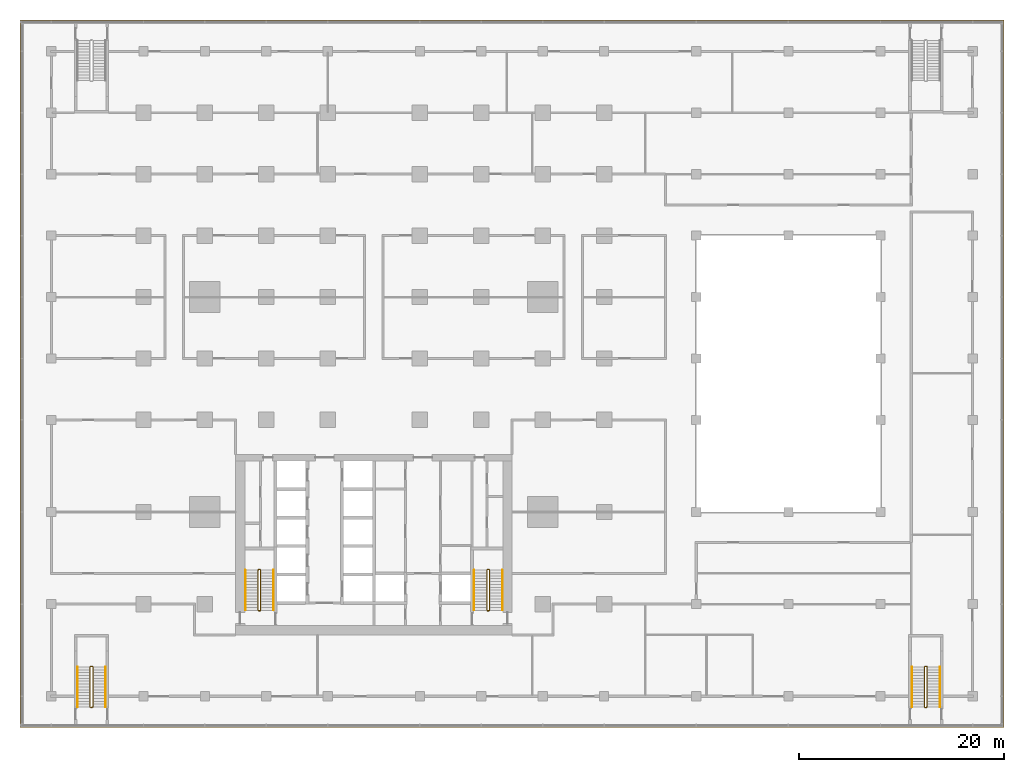
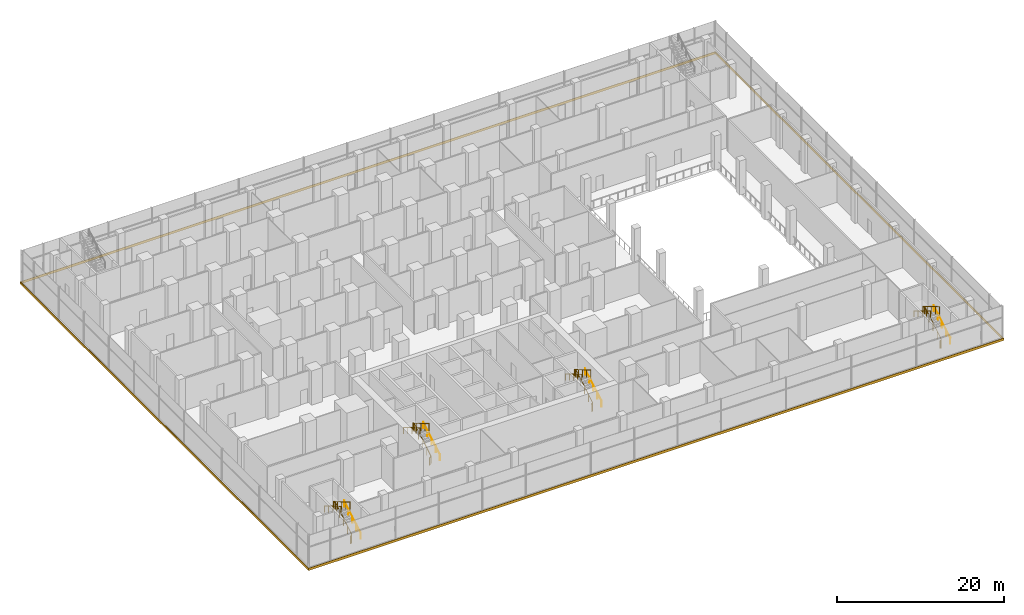
# One storey, part 21 of 22: 12 railings, 1 covering.
"""IFC4 building model written with IfcOpenShell, lengths in metres."""

from ifc_helpers import new_model, si_unit, direction, frame, origin, origin_2d, place, context, subcontext, project, spatial, polyline, circle, outline, extrude, material, layer, layer_set, type_object, element, save


model = new_model("IFC4")

# Units and contexts
model_context = context("Model", 3, precision=1e-05, world=origin(), true_north=direction((0.0, 1.0)))
body_context = subcontext(model_context, "Body", "Model", "MODEL_VIEW")
ifc_project = project(units=[si_unit("LENGTHUNIT", "METRE"), si_unit("AREAUNIT", "SQUARE_METRE"), si_unit("VOLUMEUNIT", "CUBIC_METRE"), si_unit("PLANEANGLEUNIT", "RADIAN"), si_unit("MASSUNIT", "GRAM", prefix="KILO")], contexts=[model_context])

# Site, building, storey
site_placement = place(None, origin())
site = spatial("IfcSite", under=ifc_project, at=site_placement, CompositionType="ELEMENT")
building_placement = place(site_placement, origin())
building = spatial("IfcBuilding", under=site, at=building_placement, Name="Finial Court Residences", CompositionType="ELEMENT")
storey_placement = place(building_placement, frame((0.0, 0.0, 13.5)))
storey = spatial("IfcBuildingStorey", under=building, at=storey_placement, Name="L02", CompositionType="ELEMENT", Elevation=13.5)

# Covering
ifc_material_1 = material(Name="Pale limestone", Category="masonry")
ifc_layer = layer(ifc_material_1, 0.06005859375)
ifc_layer_set = layer_set([ifc_layer], Name="Pale limestone slab-edge band 60")
covering_type = type_object("IfcCoveringType", Name="Pale limestone slab-edge band 60", PredefinedType="CLADDING", material=ifc_layer_set)
covering_placement = place(storey_placement, frame((0.0, 0.0, -0.35009765625)))
element("IfcCovering", 1, at=covering_placement, inside=storey, type_object=covering_type, Name="E-L02-BAND1", PredefinedType="CLADDING", context=body_context, shape_type="SweptSolid", body=[
    extrude(outline(polyline([(-34.56005859375, 34.56005859375), (61.56005859375, 34.56005859375), (61.56005859375, -34.56005859375), (-34.56005859375, -34.56005859375), (-34.56005859375, 34.56005859375)]), holes=[polyline([(61.5, -34.5), (61.5, 34.5), (-34.5, 34.5), (-34.5, -34.5), (61.5, -34.5)])]), origin(), (0.0, 0.0, 1.0), 0.35009765625),
])

# Railings
ifc_material_2 = material(Name="Stainless steel railing", Category="steel")
railing_type_1 = type_object("IfcRailingType", Name="Stair guard 1100", PredefinedType="GUARDRAIL", material=ifc_material_2)
railing_1_placement = place(storey_placement, frame((-11.10009765625, -23.14990234375, 0.0)))
element("IfcRailing", 2, at=railing_1_placement, inside=storey, type_object=railing_type_1, Name="L02 ST-1 stair guard 1", PredefinedType="GUARDRAIL", context=body_context, shape_type="SweptSolid", body=[
    extrude(circle(Radius=0.02392578125, at=origin_2d()), frame((0.0, 0.0, 1.076171875), z_axis=(-1.0, 0.0, 0.0), x_axis=(0.0, -1.0, 0.0)), (0.0, 0.0, 1.0), 0.14990234375),
    extrude(circle(Radius=0.02392578125, at=origin_2d()), frame((-0.14990234375, 0.0, 1.076171875), z_axis=(0.754313153044, 0.1878875253, 0.629054802844), x_axis=(-0.241699205484, 0.970351222016, 0.0)), (0.0, 0.0, 1.0), 0.26513671875),
    extrude(circle(Radius=0.02392578125, at=origin_2d()), frame((0.050048828125, 0.0498046875, 1.24267578125), z_axis=(0.0, 0.859310244771, 0.511454693235), x_axis=(-1.0, 0.0, 0.0)), (0.0, 0.0, 1.0), 4.56201171875),
    extrude(circle(Radius=0.02392578125, at=origin_2d()), frame((0.050048828125, 3.969970703125, 3.576171875), z_axis=(-0.707106781187, 0.707106781187, 0.0), x_axis=(-0.707106781187, -0.707106781187, 0.0)), (0.0, 0.0, 1.0), 0.07080078125),
    extrude(circle(Radius=0.02392578125, at=origin_2d()), frame((0.0, 4.02001953125, 3.576171875), z_axis=(-1.0, 0.0, 0.0), x_axis=(0.0, -1.0, 0.0)), (0.0, 0.0, 1.0), 0.14990234375),
    extrude(circle(Radius=0.02392578125, at=origin_2d()), frame((-0.14990234375, 4.02001953125, 3.576171875), z_axis=(-0.27628659633, -0.27628659633, 0.920506074601), x_axis=(0.707106781187, -0.707106781187, 0.0)), (0.0, 0.0, 1.0), 0.18115234375),
    extrude(circle(Radius=0.02392578125, at=origin_2d()), frame((-0.199951171875, 3.969970703125, 3.74267578125), z_axis=(0.0, -0.859310244771, 0.511454693235), x_axis=(1.0, 0.0, 0.0)), (0.0, 0.0, 1.0), 4.56201171875),
    extrude(circle(Radius=0.02099609375, at=origin_2d()), origin(), (0.0, 0.0, 1.0), 1.052001953125),
    extrude(circle(Radius=0.02099609375, at=origin_2d()), frame((-0.14990234375, 0.0, 0.0)), (0.0, 0.0, 1.0), 1.052001953125),
    extrude(circle(Radius=0.02099609375, at=origin_2d()), frame((0.050048828125, 0.0498046875, 0.166748046875)), (0.0, 0.0, 1.0), 1.052001953125),
    extrude(circle(Radius=0.02099609375, at=origin_2d()), frame((0.050048828125, 1.02978515625, 0.75)), (0.0, 0.0, 1.0), 1.052001953125),
    extrude(circle(Radius=0.02099609375, at=origin_2d()), frame((0.050048828125, 2.009765625, 1.33349609375)), (0.0, 0.0, 1.0), 1.052001953125),
    extrude(circle(Radius=0.02099609375, at=origin_2d()), frame((0.050048828125, 2.989990234375, 1.916748046875)), (0.0, 0.0, 1.0), 1.052001953125),
    extrude(circle(Radius=0.02099609375, at=origin_2d()), frame((0.050048828125, 3.969970703125, 2.5)), (0.0, 0.0, 1.0), 1.052001953125),
    extrude(circle(Radius=0.02099609375, at=origin_2d()), frame((0.0, 4.02001953125, 2.5)), (0.0, 0.0, 1.0), 1.052001953125),
    extrude(circle(Radius=0.02099609375, at=origin_2d()), frame((-0.14990234375, 4.02001953125, 2.5)), (0.0, 0.0, 1.0), 1.052001953125),
    extrude(circle(Radius=0.02099609375, at=origin_2d()), frame((-0.199951171875, 3.969970703125, 2.666748046875)), (0.0, 0.0, 1.0), 1.052001953125),
    extrude(circle(Radius=0.02099609375, at=origin_2d()), frame((-0.199951171875, 2.989990234375, 3.25)), (0.0, 0.0, 1.0), 1.052001953125),
    extrude(circle(Radius=0.02099609375, at=origin_2d()), frame((-0.199951171875, 2.009765625, 3.83349609375)), (0.0, 0.0, 1.0), 1.052001953125),
    extrude(circle(Radius=0.02099609375, at=origin_2d()), frame((-0.199951171875, 1.02978515625, 4.416748046875)), (0.0, 0.0, 1.0), 1.052001953125),
    extrude(circle(Radius=0.02099609375, at=origin_2d()), frame((-0.199951171875, 0.0498046875, 5.0)), (0.0, 0.0, 1.0), 1.052001953125),
])
railing_2_placement = place(storey_placement, frame((11.25, -23.14990234375, 0.0)))
element("IfcRailing", 3, at=railing_2_placement, inside=storey, type_object=railing_type_1, Name="L02 ST-2 stair guard 1", PredefinedType="GUARDRAIL", context=body_context, shape_type="SweptSolid", body=[
    extrude(circle(Radius=0.02392578125, at=origin_2d()), frame((0.0, 0.0, 1.076171875), z_axis=(-1.0, 0.0, 0.0), x_axis=(0.0, -1.0, 0.0)), (0.0, 0.0, 1.0), 0.14990234375),
    extrude(circle(Radius=0.02392578125, at=origin_2d()), frame((-0.14990234375, 0.0, 1.076171875), z_axis=(0.754313153044, 0.1878875253, 0.629054802844), x_axis=(-0.241699205484, 0.970351222016, 0.0)), (0.0, 0.0, 1.0), 0.26513671875),
    extrude(circle(Radius=0.02392578125, at=origin_2d()), frame((0.050048828125, 0.0498046875, 1.24267578125), z_axis=(0.0, 0.859310244771, 0.511454693235), x_axis=(-1.0, 0.0, 0.0)), (0.0, 0.0, 1.0), 4.56201171875),
    extrude(circle(Radius=0.02392578125, at=origin_2d()), frame((0.050048828125, 3.969970703125, 3.576171875), z_axis=(-0.707106781187, 0.707106781187, 0.0), x_axis=(-0.707106781187, -0.707106781187, 0.0)), (0.0, 0.0, 1.0), 0.07080078125),
    extrude(circle(Radius=0.02392578125, at=origin_2d()), frame((0.0, 4.02001953125, 3.576171875), z_axis=(-1.0, 0.0, 0.0), x_axis=(0.0, -1.0, 0.0)), (0.0, 0.0, 1.0), 0.14990234375),
    extrude(circle(Radius=0.02392578125, at=origin_2d()), frame((-0.14990234375, 4.02001953125, 3.576171875), z_axis=(-0.27628659633, -0.27628659633, 0.920506074601), x_axis=(0.707106781187, -0.707106781187, 0.0)), (0.0, 0.0, 1.0), 0.18115234375),
    extrude(circle(Radius=0.02392578125, at=origin_2d()), frame((-0.199951171875, 3.969970703125, 3.74267578125), z_axis=(0.0, -0.859310244771, 0.511454693235), x_axis=(1.0, 0.0, 0.0)), (0.0, 0.0, 1.0), 4.56201171875),
    extrude(circle(Radius=0.02099609375, at=origin_2d()), origin(), (0.0, 0.0, 1.0), 1.052001953125),
    extrude(circle(Radius=0.02099609375, at=origin_2d()), frame((-0.14990234375, 0.0, 0.0)), (0.0, 0.0, 1.0), 1.052001953125),
    extrude(circle(Radius=0.02099609375, at=origin_2d()), frame((0.050048828125, 0.0498046875, 0.166748046875)), (0.0, 0.0, 1.0), 1.052001953125),
    extrude(circle(Radius=0.02099609375, at=origin_2d()), frame((0.050048828125, 1.02978515625, 0.75)), (0.0, 0.0, 1.0), 1.052001953125),
    extrude(circle(Radius=0.02099609375, at=origin_2d()), frame((0.050048828125, 2.009765625, 1.33349609375)), (0.0, 0.0, 1.0), 1.052001953125),
    extrude(circle(Radius=0.02099609375, at=origin_2d()), frame((0.050048828125, 2.989990234375, 1.916748046875)), (0.0, 0.0, 1.0), 1.052001953125),
    extrude(circle(Radius=0.02099609375, at=origin_2d()), frame((0.050048828125, 3.969970703125, 2.5)), (0.0, 0.0, 1.0), 1.052001953125),
    extrude(circle(Radius=0.02099609375, at=origin_2d()), frame((0.0, 4.02001953125, 2.5)), (0.0, 0.0, 1.0), 1.052001953125),
    extrude(circle(Radius=0.02099609375, at=origin_2d()), frame((-0.14990234375, 4.02001953125, 2.5)), (0.0, 0.0, 1.0), 1.052001953125),
    extrude(circle(Radius=0.02099609375, at=origin_2d()), frame((-0.199951171875, 3.969970703125, 2.666748046875)), (0.0, 0.0, 1.0), 1.052001953125),
    extrude(circle(Radius=0.02099609375, at=origin_2d()), frame((-0.199951171875, 2.989990234375, 3.25)), (0.0, 0.0, 1.0), 1.052001953125),
    extrude(circle(Radius=0.02099609375, at=origin_2d()), frame((-0.199951171875, 2.009765625, 3.83349609375)), (0.0, 0.0, 1.0), 1.052001953125),
    extrude(circle(Radius=0.02099609375, at=origin_2d()), frame((-0.199951171875, 1.02978515625, 4.416748046875)), (0.0, 0.0, 1.0), 1.052001953125),
    extrude(circle(Radius=0.02099609375, at=origin_2d()), frame((-0.199951171875, 0.0498046875, 5.0)), (0.0, 0.0, 1.0), 1.052001953125),
])
railing_3_placement = place(storey_placement, frame((54.0, -32.60009765625, 0.0)))
element("IfcRailing", 4, at=railing_3_placement, inside=storey, type_object=railing_type_1, Name="L02 ST-3 stair guard 1", PredefinedType="GUARDRAIL", context=body_context, shape_type="SweptSolid", body=[
    extrude(circle(Radius=0.02392578125, at=origin_2d()), frame((0.0, 0.0, 1.076171875), z_axis=(-1.0, 0.0, 0.0), x_axis=(0.0, -1.0, 0.0)), (0.0, 0.0, 1.0), 0.14990234375),
    extrude(circle(Radius=0.02392578125, at=origin_2d()), frame((-0.14990234375, 0.0, 1.076171875), z_axis=(0.754182335027, 0.188775798145, 0.628945707965), x_axis=(-0.242814311512, 0.970072785993, 0.0)), (0.0, 0.0, 1.0), 0.26513671875),
    extrude(circle(Radius=0.02392578125, at=origin_2d()), frame((0.050048828125, 0.050048828125, 1.24267578125), z_axis=(0.0, 0.859310244771, 0.511454693235), x_axis=(-1.0, 0.0, 0.0)), (0.0, 0.0, 1.0), 4.56201171875),
    extrude(circle(Radius=0.02392578125, at=origin_2d()), frame((0.050048828125, 3.97021484375, 3.576171875), z_axis=(-0.708833529934, 0.705375805398, 0.0), x_axis=(-0.705375805398, -0.708833529934, 0.0)), (0.0, 0.0, 1.0), 0.070556640625),
    extrude(circle(Radius=0.02392578125, at=origin_2d()), frame((0.0, 4.02001953125, 3.576171875), z_axis=(-1.0, 0.0, 0.0), x_axis=(0.0, -1.0, 0.0)), (0.0, 0.0, 1.0), 0.14990234375),
    extrude(circle(Radius=0.02392578125, at=origin_2d()), frame((-0.14990234375, 4.02001953125, 3.576171875), z_axis=(-0.276389281352, -0.275041040955, 0.920848191041), x_axis=(0.705375805398, -0.708833529934, 0.0)), (0.0, 0.0, 1.0), 0.18115234375),
    extrude(circle(Radius=0.02392578125, at=origin_2d()), frame((-0.199951171875, 3.97021484375, 3.74267578125), z_axis=(0.0, -0.859310244771, 0.511454693235), x_axis=(1.0, 0.0, 0.0)), (0.0, 0.0, 1.0), 4.56201171875),
    extrude(circle(Radius=0.02099609375, at=origin_2d()), origin(), (0.0, 0.0, 1.0), 1.052001953125),
    extrude(circle(Radius=0.02099609375, at=origin_2d()), frame((-0.14990234375, 0.0, 0.0)), (0.0, 0.0, 1.0), 1.052001953125),
    extrude(circle(Radius=0.02099609375, at=origin_2d()), frame((0.050048828125, 0.050048828125, 0.166748046875)), (0.0, 0.0, 1.0), 1.052001953125),
    extrude(circle(Radius=0.02099609375, at=origin_2d()), frame((0.050048828125, 1.030029296875, 0.75)), (0.0, 0.0, 1.0), 1.052001953125),
    extrude(circle(Radius=0.02099609375, at=origin_2d()), frame((0.050048828125, 2.01025390625, 1.33349609375)), (0.0, 0.0, 1.0), 1.052001953125),
    extrude(circle(Radius=0.02099609375, at=origin_2d()), frame((0.050048828125, 2.990234375, 1.916748046875)), (0.0, 0.0, 1.0), 1.052001953125),
    extrude(circle(Radius=0.02099609375, at=origin_2d()), frame((0.050048828125, 3.97021484375, 2.5)), (0.0, 0.0, 1.0), 1.052001953125),
    extrude(circle(Radius=0.02099609375, at=origin_2d()), frame((0.0, 4.02001953125, 2.5)), (0.0, 0.0, 1.0), 1.052001953125),
    extrude(circle(Radius=0.02099609375, at=origin_2d()), frame((-0.14990234375, 4.02001953125, 2.5)), (0.0, 0.0, 1.0), 1.052001953125),
    extrude(circle(Radius=0.02099609375, at=origin_2d()), frame((-0.199951171875, 3.97021484375, 2.666748046875)), (0.0, 0.0, 1.0), 1.052001953125),
    extrude(circle(Radius=0.02099609375, at=origin_2d()), frame((-0.199951171875, 2.990234375, 3.25)), (0.0, 0.0, 1.0), 1.052001953125),
    extrude(circle(Radius=0.02099609375, at=origin_2d()), frame((-0.199951171875, 2.01025390625, 3.83349609375)), (0.0, 0.0, 1.0), 1.052001953125),
    extrude(circle(Radius=0.02099609375, at=origin_2d()), frame((-0.199951171875, 1.030029296875, 4.416748046875)), (0.0, 0.0, 1.0), 1.052001953125),
    extrude(circle(Radius=0.02099609375, at=origin_2d()), frame((-0.199951171875, 0.050048828125, 5.0)), (0.0, 0.0, 1.0), 1.052001953125),
])
railing_4_placement = place(storey_placement, frame((-27.5, -32.60009765625, 0.0)))
element("IfcRailing", 5, at=railing_4_placement, inside=storey, type_object=railing_type_1, Name="L02 ST-4 stair guard 1", PredefinedType="GUARDRAIL", context=body_context, shape_type="SweptSolid", body=[
    extrude(circle(Radius=0.02392578125, at=origin_2d()), frame((0.0, 0.0, 1.076171875), z_axis=(-1.0, 0.0, 0.0), x_axis=(0.0, -1.0, 0.0)), (0.0, 0.0, 1.0), 0.14990234375),
    extrude(circle(Radius=0.02392578125, at=origin_2d()), frame((-0.14990234375, 0.0, 1.076171875), z_axis=(0.754182335027, 0.188775798145, 0.628945707965), x_axis=(-0.242814311512, 0.970072785993, 0.0)), (0.0, 0.0, 1.0), 0.26513671875),
    extrude(circle(Radius=0.02392578125, at=origin_2d()), frame((0.050048828125, 0.050048828125, 1.24267578125), z_axis=(0.0, 0.859310244771, 0.511454693235), x_axis=(-1.0, 0.0, 0.0)), (0.0, 0.0, 1.0), 4.56201171875),
    extrude(circle(Radius=0.02392578125, at=origin_2d()), frame((0.050048828125, 3.97021484375, 3.576171875), z_axis=(-0.708833529934, 0.705375805398, 0.0), x_axis=(-0.705375805398, -0.708833529934, 0.0)), (0.0, 0.0, 1.0), 0.070556640625),
    extrude(circle(Radius=0.02392578125, at=origin_2d()), frame((0.0, 4.02001953125, 3.576171875), z_axis=(-1.0, 0.0, 0.0), x_axis=(0.0, -1.0, 0.0)), (0.0, 0.0, 1.0), 0.14990234375),
    extrude(circle(Radius=0.02392578125, at=origin_2d()), frame((-0.14990234375, 4.02001953125, 3.576171875), z_axis=(-0.276389281352, -0.275041040955, 0.920848191041), x_axis=(0.705375805398, -0.708833529934, 0.0)), (0.0, 0.0, 1.0), 0.18115234375),
    extrude(circle(Radius=0.02392578125, at=origin_2d()), frame((-0.199951171875, 3.97021484375, 3.74267578125), z_axis=(0.0, -0.859310244771, 0.511454693235), x_axis=(1.0, 0.0, 0.0)), (0.0, 0.0, 1.0), 4.56201171875),
    extrude(circle(Radius=0.02099609375, at=origin_2d()), origin(), (0.0, 0.0, 1.0), 1.052001953125),
    extrude(circle(Radius=0.02099609375, at=origin_2d()), frame((-0.14990234375, 0.0, 0.0)), (0.0, 0.0, 1.0), 1.052001953125),
    extrude(circle(Radius=0.02099609375, at=origin_2d()), frame((0.050048828125, 0.050048828125, 0.166748046875)), (0.0, 0.0, 1.0), 1.052001953125),
    extrude(circle(Radius=0.02099609375, at=origin_2d()), frame((0.050048828125, 1.030029296875, 0.75)), (0.0, 0.0, 1.0), 1.052001953125),
    extrude(circle(Radius=0.02099609375, at=origin_2d()), frame((0.050048828125, 2.01025390625, 1.33349609375)), (0.0, 0.0, 1.0), 1.052001953125),
    extrude(circle(Radius=0.02099609375, at=origin_2d()), frame((0.050048828125, 2.990234375, 1.916748046875)), (0.0, 0.0, 1.0), 1.052001953125),
    extrude(circle(Radius=0.02099609375, at=origin_2d()), frame((0.050048828125, 3.97021484375, 2.5)), (0.0, 0.0, 1.0), 1.052001953125),
    extrude(circle(Radius=0.02099609375, at=origin_2d()), frame((0.0, 4.02001953125, 2.5)), (0.0, 0.0, 1.0), 1.052001953125),
    extrude(circle(Radius=0.02099609375, at=origin_2d()), frame((-0.14990234375, 4.02001953125, 2.5)), (0.0, 0.0, 1.0), 1.052001953125),
    extrude(circle(Radius=0.02099609375, at=origin_2d()), frame((-0.199951171875, 3.97021484375, 2.666748046875)), (0.0, 0.0, 1.0), 1.052001953125),
    extrude(circle(Radius=0.02099609375, at=origin_2d()), frame((-0.199951171875, 2.990234375, 3.25)), (0.0, 0.0, 1.0), 1.052001953125),
    extrude(circle(Radius=0.02099609375, at=origin_2d()), frame((-0.199951171875, 2.01025390625, 3.83349609375)), (0.0, 0.0, 1.0), 1.052001953125),
    extrude(circle(Radius=0.02099609375, at=origin_2d()), frame((-0.199951171875, 1.030029296875, 4.416748046875)), (0.0, 0.0, 1.0), 1.052001953125),
    extrude(circle(Radius=0.02099609375, at=origin_2d()), frame((-0.199951171875, 0.050048828125, 5.0)), (0.0, 0.0, 1.0), 1.052001953125),
])
railing_type_2 = type_object("IfcRailingType", Name="Stair handrail 900", PredefinedType="HANDRAIL", material=ifc_material_2)
railing_5_placement = place(storey_placement, frame((-9.800048828125, -23.10009765625, 0.166748046875)))
element("IfcRailing", 6, at=railing_5_placement, inside=storey, type_object=railing_type_2, Name="L02 ST-1 stair handrail 1", PredefinedType="HANDRAIL", context=body_context, shape_type="SweptSolid", body=[
    extrude(circle(Radius=0.02392578125, at=origin_2d()), frame((0.0, 0.0, 0.8759765625), z_axis=(0.0, 0.859310244771, 0.511454693235), x_axis=(-1.0, 0.0, 0.0)), (0.0, 0.0, 1.0), 4.56201171875),
    extrude(circle(Radius=0.02099609375, at=origin_2d()), origin(), (0.0, 0.0, 1.0), 0.851806640625),
    extrude(circle(Radius=0.02099609375, at=origin_2d()), frame((0.0, 0.97998046875, 0.583251953125)), (0.0, 0.0, 1.0), 0.851806640625),
    extrude(circle(Radius=0.02099609375, at=origin_2d()), frame((0.0, 1.9599609375, 1.16650390625)), (0.0, 0.0, 1.0), 0.851806640625),
    extrude(circle(Radius=0.02099609375, at=origin_2d()), frame((0.0, 2.940185546875, 1.75)), (0.0, 0.0, 1.0), 0.851806640625),
    extrude(circle(Radius=0.02099609375, at=origin_2d()), frame((0.0, 3.920166015625, 2.333251953125)), (0.0, 0.0, 1.0), 0.851806640625),
])
railing_6_placement = place(storey_placement, frame((-12.550048828125, -19.179931640625, 2.666748046875)))
element("IfcRailing", 7, at=railing_6_placement, inside=storey, type_object=railing_type_2, Name="L02 ST-1 stair handrail 2", PredefinedType="HANDRAIL", context=body_context, shape_type="SweptSolid", body=[
    extrude(circle(Radius=0.02392578125, at=origin_2d()), frame((0.0, 0.0, 0.8759765625), z_axis=(0.0, -0.859310244771, 0.511454693235), x_axis=(1.0, 0.0, 0.0)), (0.0, 0.0, 1.0), 4.56201171875),
    extrude(circle(Radius=0.02099609375, at=origin_2d()), origin(), (0.0, 0.0, 1.0), 0.851806640625),
    extrude(circle(Radius=0.02099609375, at=origin_2d()), frame((0.0, -0.97998046875, 0.583251953125)), (0.0, 0.0, 1.0), 0.851806640625),
    extrude(circle(Radius=0.02099609375, at=origin_2d()), frame((0.0, -1.9599609375, 1.16650390625)), (0.0, 0.0, 1.0), 0.851806640625),
    extrude(circle(Radius=0.02099609375, at=origin_2d()), frame((0.0, -2.940185546875, 1.75)), (0.0, 0.0, 1.0), 0.851806640625),
    extrude(circle(Radius=0.02099609375, at=origin_2d()), frame((0.0, -3.920166015625, 2.333251953125)), (0.0, 0.0, 1.0), 0.851806640625),
])
railing_7_placement = place(storey_placement, frame((12.550048828125, -23.10009765625, 0.166748046875)))
element("IfcRailing", 8, at=railing_7_placement, inside=storey, type_object=railing_type_2, Name="L02 ST-2 stair handrail 1", PredefinedType="HANDRAIL", context=body_context, shape_type="SweptSolid", body=[
    extrude(circle(Radius=0.02392578125, at=origin_2d()), frame((0.0, 0.0, 0.8759765625), z_axis=(0.0, 0.859310244771, 0.511454693235), x_axis=(-1.0, 0.0, 0.0)), (0.0, 0.0, 1.0), 4.56201171875),
    extrude(circle(Radius=0.02099609375, at=origin_2d()), origin(), (0.0, 0.0, 1.0), 0.851806640625),
    extrude(circle(Radius=0.02099609375, at=origin_2d()), frame((0.0, 0.97998046875, 0.583251953125)), (0.0, 0.0, 1.0), 0.851806640625),
    extrude(circle(Radius=0.02099609375, at=origin_2d()), frame((0.0, 1.9599609375, 1.16650390625)), (0.0, 0.0, 1.0), 0.851806640625),
    extrude(circle(Radius=0.02099609375, at=origin_2d()), frame((0.0, 2.940185546875, 1.75)), (0.0, 0.0, 1.0), 0.851806640625),
    extrude(circle(Radius=0.02099609375, at=origin_2d()), frame((0.0, 3.920166015625, 2.333251953125)), (0.0, 0.0, 1.0), 0.851806640625),
])
railing_8_placement = place(storey_placement, frame((9.800048828125, -19.179931640625, 2.666748046875)))
element("IfcRailing", 9, at=railing_8_placement, inside=storey, type_object=railing_type_2, Name="L02 ST-2 stair handrail 2", PredefinedType="HANDRAIL", context=body_context, shape_type="SweptSolid", body=[
    extrude(circle(Radius=0.02392578125, at=origin_2d()), frame((0.0, 0.0, 0.8759765625), z_axis=(0.0, -0.859310244771, 0.511454693235), x_axis=(1.0, 0.0, 0.0)), (0.0, 0.0, 1.0), 4.56201171875),
    extrude(circle(Radius=0.02099609375, at=origin_2d()), origin(), (0.0, 0.0, 1.0), 0.851806640625),
    extrude(circle(Radius=0.02099609375, at=origin_2d()), frame((0.0, -0.97998046875, 0.583251953125)), (0.0, 0.0, 1.0), 0.851806640625),
    extrude(circle(Radius=0.02099609375, at=origin_2d()), frame((0.0, -1.9599609375, 1.16650390625)), (0.0, 0.0, 1.0), 0.851806640625),
    extrude(circle(Radius=0.02099609375, at=origin_2d()), frame((0.0, -2.940185546875, 1.75)), (0.0, 0.0, 1.0), 0.851806640625),
    extrude(circle(Radius=0.02099609375, at=origin_2d()), frame((0.0, -3.920166015625, 2.333251953125)), (0.0, 0.0, 1.0), 0.851806640625),
])
railing_9_placement = place(storey_placement, frame((55.300048828125, -32.550048828125, 0.166748046875)))
element("IfcRailing", 10, at=railing_9_placement, inside=storey, type_object=railing_type_2, Name="L02 ST-3 stair handrail 1", PredefinedType="HANDRAIL", context=body_context, shape_type="SweptSolid", body=[
    extrude(circle(Radius=0.02392578125, at=origin_2d()), frame((0.0, 0.0, 0.8759765625), z_axis=(0.0, 0.859310244771, 0.511454693235), x_axis=(-1.0, 0.0, 0.0)), (0.0, 0.0, 1.0), 4.56201171875),
    extrude(circle(Radius=0.02099609375, at=origin_2d()), origin(), (0.0, 0.0, 1.0), 0.851806640625),
    extrude(circle(Radius=0.02099609375, at=origin_2d()), frame((0.0, 0.97998046875, 0.583251953125)), (0.0, 0.0, 1.0), 0.851806640625),
    extrude(circle(Radius=0.02099609375, at=origin_2d()), frame((0.0, 1.9599609375, 1.16650390625)), (0.0, 0.0, 1.0), 0.851806640625),
    extrude(circle(Radius=0.02099609375, at=origin_2d()), frame((0.0, 2.940185546875, 1.75)), (0.0, 0.0, 1.0), 0.851806640625),
    extrude(circle(Radius=0.02099609375, at=origin_2d()), frame((0.0, 3.920166015625, 2.333251953125)), (0.0, 0.0, 1.0), 0.851806640625),
])
railing_10_placement = place(storey_placement, frame((52.550048828125, -28.6298828125, 2.666748046875)))
element("IfcRailing", 11, at=railing_10_placement, inside=storey, type_object=railing_type_2, Name="L02 ST-3 stair handrail 2", PredefinedType="HANDRAIL", context=body_context, shape_type="SweptSolid", body=[
    extrude(circle(Radius=0.02392578125, at=origin_2d()), frame((0.0, 0.0, 0.8759765625), z_axis=(0.0, -0.859310244771, 0.511454693235), x_axis=(1.0, 0.0, 0.0)), (0.0, 0.0, 1.0), 4.56201171875),
    extrude(circle(Radius=0.02099609375, at=origin_2d()), origin(), (0.0, 0.0, 1.0), 0.851806640625),
    extrude(circle(Radius=0.02099609375, at=origin_2d()), frame((0.0, -0.97998046875, 0.583251953125)), (0.0, 0.0, 1.0), 0.851806640625),
    extrude(circle(Radius=0.02099609375, at=origin_2d()), frame((0.0, -1.9599609375, 1.16650390625)), (0.0, 0.0, 1.0), 0.851806640625),
    extrude(circle(Radius=0.02099609375, at=origin_2d()), frame((0.0, -2.940185546875, 1.75)), (0.0, 0.0, 1.0), 0.851806640625),
    extrude(circle(Radius=0.02099609375, at=origin_2d()), frame((0.0, -3.920166015625, 2.333251953125)), (0.0, 0.0, 1.0), 0.851806640625),
])
railing_11_placement = place(storey_placement, frame((-26.199951171875, -32.550048828125, 0.166748046875)))
element("IfcRailing", 12, at=railing_11_placement, inside=storey, type_object=railing_type_2, Name="L02 ST-4 stair handrail 1", PredefinedType="HANDRAIL", context=body_context, shape_type="SweptSolid", body=[
    extrude(circle(Radius=0.02392578125, at=origin_2d()), frame((0.0, 0.0, 0.8759765625), z_axis=(0.0, 0.859310244771, 0.511454693235), x_axis=(-1.0, 0.0, 0.0)), (0.0, 0.0, 1.0), 4.56201171875),
    extrude(circle(Radius=0.02099609375, at=origin_2d()), origin(), (0.0, 0.0, 1.0), 0.851806640625),
    extrude(circle(Radius=0.02099609375, at=origin_2d()), frame((0.0, 0.97998046875, 0.583251953125)), (0.0, 0.0, 1.0), 0.851806640625),
    extrude(circle(Radius=0.02099609375, at=origin_2d()), frame((0.0, 1.9599609375, 1.16650390625)), (0.0, 0.0, 1.0), 0.851806640625),
    extrude(circle(Radius=0.02099609375, at=origin_2d()), frame((0.0, 2.940185546875, 1.75)), (0.0, 0.0, 1.0), 0.851806640625),
    extrude(circle(Radius=0.02099609375, at=origin_2d()), frame((0.0, 3.920166015625, 2.333251953125)), (0.0, 0.0, 1.0), 0.851806640625),
])
railing_12_placement = place(storey_placement, frame((-28.949951171875, -28.6298828125, 2.666748046875)))
element("IfcRailing", 13, at=railing_12_placement, inside=storey, type_object=railing_type_2, Name="L02 ST-4 stair handrail 2", PredefinedType="HANDRAIL", context=body_context, shape_type="SweptSolid", body=[
    extrude(circle(Radius=0.02392578125, at=origin_2d()), frame((0.0, 0.0, 0.8759765625), z_axis=(0.0, -0.859310244771, 0.511454693235), x_axis=(1.0, 0.0, 0.0)), (0.0, 0.0, 1.0), 4.56201171875),
    extrude(circle(Radius=0.02099609375, at=origin_2d()), origin(), (0.0, 0.0, 1.0), 0.851806640625),
    extrude(circle(Radius=0.02099609375, at=origin_2d()), frame((0.0, -0.97998046875, 0.583251953125)), (0.0, 0.0, 1.0), 0.851806640625),
    extrude(circle(Radius=0.02099609375, at=origin_2d()), frame((0.0, -1.9599609375, 1.16650390625)), (0.0, 0.0, 1.0), 0.851806640625),
    extrude(circle(Radius=0.02099609375, at=origin_2d()), frame((0.0, -2.940185546875, 1.75)), (0.0, 0.0, 1.0), 0.851806640625),
    extrude(circle(Radius=0.02099609375, at=origin_2d()), frame((0.0, -3.920166015625, 2.333251953125)), (0.0, 0.0, 1.0), 0.851806640625),
])

save(model, "model.ifc")
